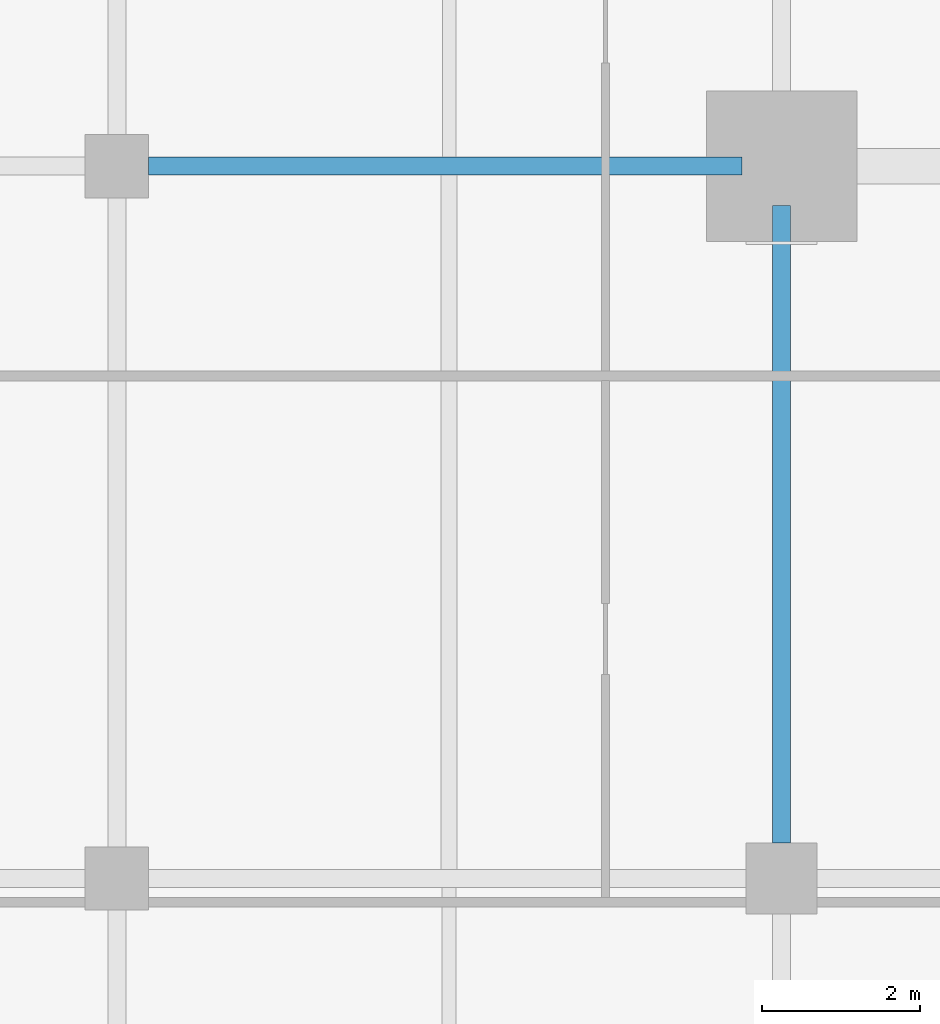
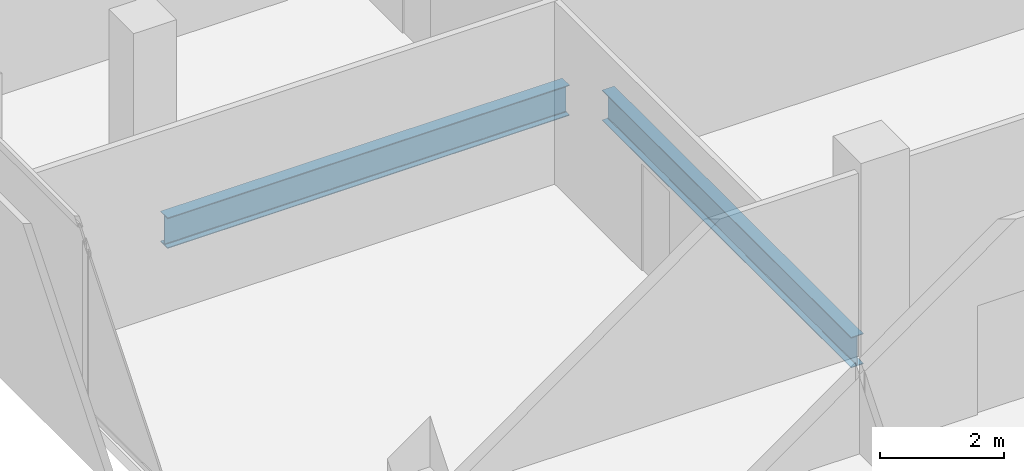
# One storey, part 9 of 32: 2 beams.
"""IFC4 building model written with IfcOpenShell, lengths in metres."""

from ifc_helpers import new_model, si_unit, direction, frame, origin, origin_2d, place, context, subcontext, project, spatial, i_section, extrude, material, material_profile, profile_set, type_object, element, save


model = new_model("IFC4")

# Units and contexts
model_context = context("Model", 3, precision=1e-05, world=origin(), true_north=direction((0.0, 1.0)))
body_context = subcontext(model_context, "Body", "Model", "MODEL_VIEW")
ifc_project = project(units=[si_unit("LENGTHUNIT", "METRE"), si_unit("AREAUNIT", "SQUARE_METRE"), si_unit("VOLUMEUNIT", "CUBIC_METRE"), si_unit("PLANEANGLEUNIT", "RADIAN"), si_unit("MASSUNIT", "GRAM", prefix="KILO")], contexts=[model_context])

# Site, building, storey
site_placement = place(None, origin())
site = spatial("IfcSite", under=ifc_project, at=site_placement, CompositionType="ELEMENT")
building_placement = place(site_placement, origin())
building = spatial("IfcBuilding", under=site, at=building_placement, Name="Maruvema Waterfront Hotel and Observation Tower", CompositionType="ELEMENT")
storey_placement = place(building_placement, frame((0.0, 0.0, 162.050048828125)))
storey = spatial("IfcBuildingStorey", under=building, at=storey_placement, Name="L39", CompositionType="ELEMENT", Elevation=162.050048828125)

# Beams
ifc_material = material(Name="Steel ASTM A572 Grade 50", Category="steel")
ifc_material_profile = material_profile(ifc_material, i_section(OverallWidth=0.22802734375, OverallDepth=0.60302734375, WebThickness=0.010498046875, FlangeThickness=0.014892578125, FilletRadius=0.01806640625, at=origin_2d()), Name="W610x101.0")
ifc_profile_set = profile_set([ifc_material_profile], Name="Steel ASTM A572 Grade 50")
beam_type = type_object("IfcBeamType", Name="Primary Floor Girder W610x101.0", PredefinedType="BEAM", material=ifc_profile_set)
beam_1_placement = place(storey_placement, frame((17.199951171875, 27.0, -0.54150390625), z_axis=(1.0, 0.0, 0.0), x_axis=(0.0, 1.0, 0.0)))
element("IfcBeam", 1, at=beam_1_placement, inside=storey, type_object=beam_type, Name="L39 Floor Girder EW-19", PredefinedType="BEAM", context=body_context, shape_type="SweptSolid", body=[
    extrude(i_section(OverallWidth=0.22802734375, OverallDepth=0.60302734375, WebThickness=0.010498046875, FlangeThickness=0.014892578125, FilletRadius=0.01806640625, at=origin_2d()), origin(), (0.0, 0.0, 1.0), 7.5),
])
beam_2_placement = place(storey_placement, frame((25.199951171875, 18.449951171875, -0.54150390625), z_axis=(0.0, 1.0, 0.0), x_axis=(-1.0, 0.0, 0.0)))
element("IfcBeam", 2, at=beam_2_placement, inside=storey, type_object=beam_type, Name="L39 Floor Girder NS-11", PredefinedType="BEAM", context=body_context, shape_type="SweptSolid", body=[
    extrude(i_section(OverallWidth=0.22802734375, OverallDepth=0.60302734375, WebThickness=0.010498046875, FlangeThickness=0.014892578125, FilletRadius=0.01806640625, at=origin_2d()), origin(), (0.0, 0.0, 1.0), 8.050048828125),
])

save(model, "model.ifc")
